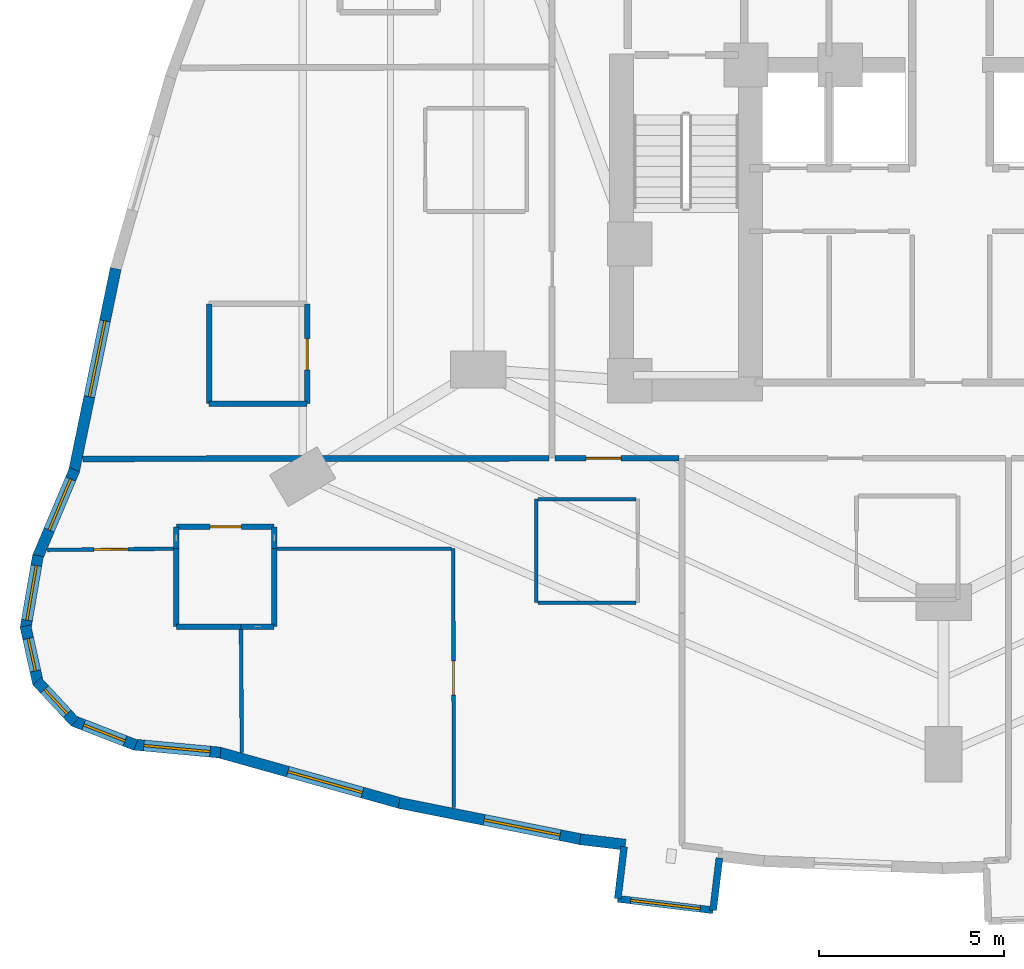
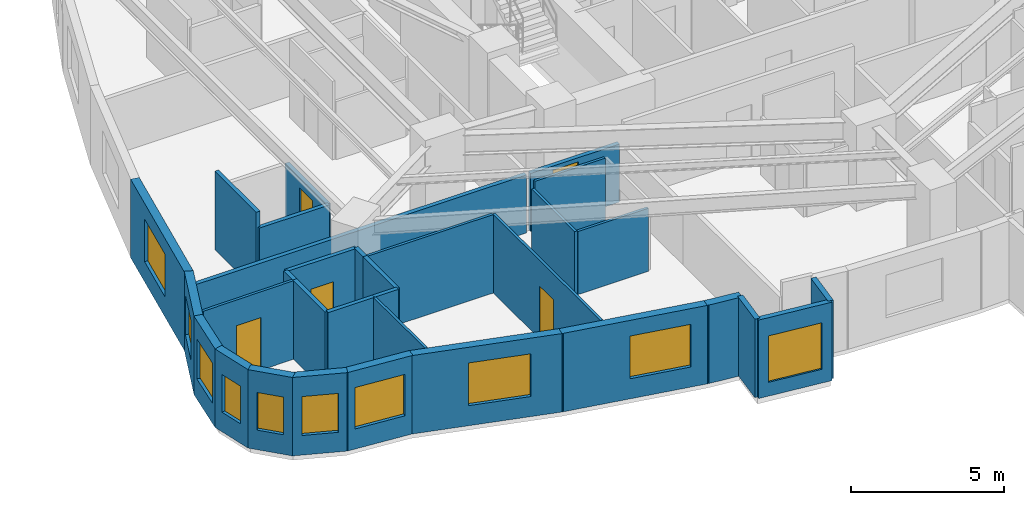
# One storey, part 7 of 15: 32 walls, 10 windows, 5 doors, 15 openings.
"""IFC4 building model written with IfcOpenShell, lengths in metres."""

from ifc_helpers import new_model, si_unit, direction, frame, frame_2d, origin, place, context, subcontext, project, spatial, rectangle, extrude, material, layer, layer_set, type_object, element, fill, save


model = new_model("IFC4")

# Units and contexts
model_context = context("Model", 3, precision=1e-05, world=origin(), true_north=direction((0.0, 1.0)))
body_context = subcontext(model_context, "Body", "Model", "MODEL_VIEW")
ifc_project = project(units=[si_unit("LENGTHUNIT", "METRE"), si_unit("AREAUNIT", "SQUARE_METRE"), si_unit("VOLUMEUNIT", "CUBIC_METRE"), si_unit("PLANEANGLEUNIT", "RADIAN"), si_unit("MASSUNIT", "GRAM", prefix="KILO")], contexts=[model_context])

# Site, building, storey
site_placement = place(None, origin())
site = spatial("IfcSite", under=ifc_project, at=site_placement, CompositionType="ELEMENT")
building_placement = place(site_placement, origin())
building = spatial("IfcBuilding", under=site, at=building_placement, Name="Miruveldt Soraemaru", CompositionType="ELEMENT")
storey_placement = place(building_placement, frame((0.0, 0.0, 39.39990234375)))
storey = spatial("IfcBuildingStorey", under=building, at=storey_placement, Name="L10", CompositionType="ELEMENT", Elevation=39.39990234375)

# Walls
ifc_material_1 = material(Name="White powder-coated aluminium EN AW-6060 T6", Category="aluminium")
ifc_layer_1 = layer(ifc_material_1, 0.18994140625, Name="White powder-coated aluminium EN AW-6060 T6", Category="aluminium")
ifc_layer_set_1 = layer_set([ifc_layer_1], Name="White powder-coated aluminium EN AW-6060 T6")
wall_type_1 = type_object("IfcWallType", Name="WALL-BAY-ALU190", PredefinedType="SOLIDWALL", material=ifc_layer_set_1)
wall_1_placement = place(storey_placement, frame((35.34716796875, 22.883544921875, 0.0), z_axis=(0.0, 0.0, 1.0), x_axis=(-0.119077659317, -0.992884943511, 0.0)))
element("IfcWall", 1, at=wall_1_placement, inside=storey, type_object=wall_type_1, Name="L10 Bay Window Side Cheek 1L", PredefinedType="SOLIDWALL", context=body_context, shape_type="SweptSolid", body=[
    extrude(rectangle(XDim=1.425048828125, YDim=0.18994140625, at=frame_2d((0.71240234375, 0.0))), origin(), (0.0, 0.0, 1.0), 3.125),
])
wall_2_placement = place(storey_placement, frame((37.7587890625, 21.15869140625, 0.0), z_axis=(0.0, 0.0, 1.0), x_axis=(0.119226278009, 0.992867108244, 0.0)))
element("IfcWall", 2, at=wall_2_placement, inside=storey, type_object=wall_type_1, Name="L10 Bay Window Side Cheek 1R", PredefinedType="SOLIDWALL", context=body_context, shape_type="SweptSolid", body=[
    extrude(rectangle(XDim=1.42529296875, YDim=0.18994140625, at=frame_2d((0.712646484375, 0.0))), origin(), (0.0, 0.0, 1.0), 3.125),
])

# Wall, opening, window
wall_3_placement = place(storey_placement, frame((35.177490234375, 21.46875, 0.0), z_axis=(0.0, 0.0, 1.0), x_axis=(0.992863057067, -0.119260009692, 0.0)))
wall_3 = element("IfcWall", 3, at=wall_3_placement, inside=storey, type_object=wall_type_1, Name="L10 Bay Window Front Frame 1", PredefinedType="SOLIDWALL", context=body_context, shape_type="SweptSolid", body=[
    extrude(rectangle(XDim=2.599853515625, YDim=0.18994140625, at=frame_2d((1.2998046875, 0.0))), origin(), (0.0, 0.0, 1.0), 3.125),
])
opening_1_placement = place(wall_3_placement, frame((0.35009765625, 0.0, 0.550048828125)))
opening_1 = element("IfcOpeningElement", 4, at=opening_1_placement, cuts=wall_3, Name="Opening WN-6", PredefinedType="OPENING", context=body_context, shape_type="SweptSolid", body=[
    extrude(rectangle(XDim=1.89990234375, YDim=1.85009765625, at=frame_2d((0.949951171875, 0.925048828125))), frame((0.0, 0.10498046875, 0.0), z_axis=(0.0, -1.0, 0.0), x_axis=(1.0, 0.0, 0.0)), (0.0, 0.0, 1.0), 0.2099609375),
])
ifc_material_2 = material(Name="Triple low-e insulated glazing", Category="glass")
window_type_1 = type_object("IfcWindowType", Name="WIN-BAYW-1900x1850", PartitioningType="SINGLE_PANEL", PredefinedType="WINDOW", material=ifc_material_2)
window_1_placement = place(opening_1_placement, origin())
window_1 = element("IfcWindow", 5, at=window_1_placement, inside=storey, type_object=window_type_1, Name="L10 Projecting Bay Window 1", OverallHeight=1.85009765625, OverallWidth=1.89990234375, PartitioningType="SINGLE_PANEL", PredefinedType="WINDOW", context=body_context, shape_type="SweptSolid", body=[
    extrude(rectangle(XDim=1.89990234375, YDim=1.85009765625, at=frame_2d((0.949951171875, 0.925048828125))), frame((0.0, 0.030029296875, 0.0), z_axis=(0.0, -1.0, 0.0), x_axis=(1.0, 0.0, 0.0)), (0.0, 0.0, 1.0), 0.06005859375),
])
fill(opening_1, window_1)

ifc_material_3 = material(Name="Precast concrete C45/55 (45 MPa)", Category="concrete")
ifc_layer_2 = layer(ifc_material_3, 0.300048828125, Name="Precast concrete C45/55 (45 MPa)", Category="concrete")
ifc_layer_set_2 = layer_set([ifc_layer_2], Name="Precast concrete C45/55 (45 MPa)")
wall_type_2 = type_object("IfcWallType", Name="WALL-EXT-PC300", PredefinedType="SOLIDWALL", material=ifc_layer_set_2)
wall_4_placement = place(storey_placement, frame((21.580322265625, 38.536376953125, 0.0), z_axis=(0.0, 0.0, 1.0), x_axis=(-0.201536618175, -0.979480980691, 0.0)))
wall_4 = element("IfcWall", 6, at=wall_4_placement, inside=storey, type_object=wall_type_2, Name="L10 Precast Concrete Facade Wall 14", PredefinedType="SOLIDWALL", context=body_context, shape_type="SweptSolid", body=[
    extrude(rectangle(XDim=5.626953125, YDim=0.300048828125, at=frame_2d((2.8134765625, 0.0))), origin(), (0.0, 0.0, 1.0), 3.125),
])
opening_2_placement = place(wall_4_placement, frame((1.444091796875, 0.0, 0.800048828125)))
opening_2 = element("IfcOpeningElement", 7, at=opening_2_placement, cuts=wall_4, Name="Opening WN-1", PredefinedType="OPENING", context=body_context, shape_type="SweptSolid", body=[
    extrude(rectangle(XDim=2.10009765625, YDim=1.699951171875, at=frame_2d((1.050048828125, 0.85009765625))), frame((0.0, 0.16015625, 0.0), z_axis=(0.0, -1.0, 0.0), x_axis=(1.0, 0.0, 0.0)), (0.0, 0.0, 1.0), 0.320068359375),
])
window_type_2 = type_object("IfcWindowType", Name="WIN-PUNCH-2100x1700", PartitioningType="SINGLE_PANEL", PredefinedType="WINDOW", material=ifc_material_2)
window_2_placement = place(opening_2_placement, origin())
window_2 = element("IfcWindow", 8, at=window_2_placement, inside=storey, type_object=window_type_2, Name="L10 Punched Triple-Glazed Window 14.1", OverallHeight=1.699951171875, OverallWidth=2.10009765625, PartitioningType="SINGLE_PANEL", PredefinedType="WINDOW", context=body_context, shape_type="SweptSolid", body=[
    extrude(rectangle(XDim=2.10009765625, YDim=1.699951171875, at=frame_2d((1.050048828125, 0.85009765625))), frame((0.0, 0.030029296875, 0.0), z_axis=(0.0, -1.0, 0.0), x_axis=(1.0, 0.0, 0.0)), (0.0, 0.0, 1.0), 0.06005859375),
])
fill(opening_2, window_2)

wall_5_placement = place(storey_placement, frame((20.466796875, 33.091552734375, 0.0), z_axis=(0.0, 0.0, 1.0), x_axis=(-0.388619532782, -0.921398317092, 0.0)))
wall_5 = element("IfcWall", 9, at=wall_5_placement, inside=storey, type_object=wall_type_2, Name="L10 Precast Concrete Facade Wall 15", PredefinedType="SOLIDWALL", context=body_context, shape_type="SweptSolid", body=[
    extrude(rectangle(XDim=2.599609375, YDim=0.300048828125, at=frame_2d((1.2998046875, 0.0))), origin(), (0.0, 0.0, 1.0), 3.125),
])
opening_3_placement = place(wall_5_placement, frame((0.27490234375, 0.0, 0.800048828125)))
opening_3 = element("IfcOpeningElement", 10, at=opening_3_placement, cuts=wall_5, Name="Opening WN-3", PredefinedType="OPENING", context=body_context, shape_type="SweptSolid", body=[
    extrude(rectangle(XDim=1.5, YDim=1.60009765625, at=frame_2d((0.75, 0.800048828125))), frame((0.0, 0.16015625, 0.0), z_axis=(0.0, -1.0, 0.0), x_axis=(1.0, 0.0, 0.0)), (0.0, 0.0, 1.0), 0.320068359375),
])
window_type_3 = type_object("IfcWindowType", Name="WIN-PUNCH-1500x1600", PartitioningType="SINGLE_PANEL", PredefinedType="WINDOW", material=ifc_material_2)
window_3_placement = place(opening_3_placement, origin())
window_3 = element("IfcWindow", 11, at=window_3_placement, inside=storey, type_object=window_type_3, Name="L10 Punched Triple-Glazed Window 15.1", OverallHeight=1.60009765625, OverallWidth=1.5, PartitioningType="SINGLE_PANEL", PredefinedType="WINDOW", context=body_context, shape_type="SweptSolid", body=[
    extrude(rectangle(XDim=1.5, YDim=1.60009765625, at=frame_2d((0.75, 0.800048828125))), frame((0.0, 0.030029296875, 0.0), z_axis=(0.0, -1.0, 0.0), x_axis=(1.0, 0.0, 0.0)), (0.0, 0.0, 1.0), 0.06005859375),
])
fill(opening_3, window_3)

wall_6_placement = place(storey_placement, frame((19.47607421875, 30.762939453125, 0.0), z_axis=(0.0, 0.0, 1.0), x_axis=(-0.169274776515, -0.985568896646, 0.0)))
wall_6 = element("IfcWall", 12, at=wall_6_placement, inside=storey, type_object=wall_type_2, Name="L10 Precast Concrete Facade Wall 16", PredefinedType="SOLIDWALL", context=body_context, shape_type="SweptSolid", body=[
    extrude(rectangle(XDim=2.0048828125, YDim=0.300048828125, at=frame_2d((1.00244140625, 0.0))), origin(), (0.0, 0.0, 1.0), 3.125),
])
opening_4_placement = place(wall_6_placement, frame((0.27490234375, 0.0, 0.800048828125)))
opening_4 = element("IfcOpeningElement", 13, at=opening_4_placement, cuts=wall_6, Name="Opening WN-3", PredefinedType="OPENING", context=body_context, shape_type="SweptSolid", body=[
    extrude(rectangle(XDim=1.5, YDim=1.60009765625, at=frame_2d((0.75, 0.800048828125))), frame((0.0, 0.16015625, 0.0), z_axis=(0.0, -1.0, 0.0), x_axis=(1.0, 0.0, 0.0)), (0.0, 0.0, 1.0), 0.320068359375),
])
window_4_placement = place(opening_4_placement, origin())
window_4 = element("IfcWindow", 14, at=window_4_placement, inside=storey, type_object=window_type_3, Name="L10 Punched Triple-Glazed Window 16.1", OverallHeight=1.60009765625, OverallWidth=1.5, PartitioningType="SINGLE_PANEL", PredefinedType="WINDOW", context=body_context, shape_type="SweptSolid", body=[
    extrude(rectangle(XDim=1.5, YDim=1.60009765625, at=frame_2d((0.75, 0.800048828125))), frame((0.0, 0.030029296875, 0.0), z_axis=(0.0, -1.0, 0.0), x_axis=(1.0, 0.0, 0.0)), (0.0, 0.0, 1.0), 0.06005859375),
])
fill(opening_4, window_4)

wall_7_placement = place(storey_placement, frame((19.135009765625, 28.855712890625, 0.0), z_axis=(0.0, 0.0, 1.0), x_axis=(0.215694028495, -0.976461000794, 0.0)))
wall_7 = element("IfcWall", 15, at=wall_7_placement, inside=storey, type_object=wall_type_2, Name="L10 Precast Concrete Facade Wall 17", PredefinedType="SOLIDWALL", context=body_context, shape_type="SweptSolid", body=[
    extrude(rectangle(XDim=1.589111328125, YDim=0.300048828125, at=frame_2d((0.79443359375, 0.0))), origin(), (0.0, 0.0, 1.0), 3.125),
])
opening_5_placement = place(wall_7_placement, frame((0.343994140625, 0.0, 0.780029296875)))
opening_5 = element("IfcOpeningElement", 16, at=opening_5_placement, cuts=wall_7, Name="Opening WN-7", PredefinedType="OPENING", context=body_context, shape_type="SweptSolid", body=[
    extrude(rectangle(XDim=0.89990234375, YDim=1.5, at=frame_2d((0.449951171875, 0.75))), frame((0.0, 0.16015625, 0.0), z_axis=(0.0, -1.0, 0.0), x_axis=(1.0, 0.0, 0.0)), (0.0, 0.0, 1.0), 0.320068359375),
])
window_type_4 = type_object("IfcWindowType", Name="WIN-PUNCH-900x1500", PartitioningType="SINGLE_PANEL", PredefinedType="WINDOW", material=ifc_material_2)
window_5_placement = place(opening_5_placement, origin())
window_5 = element("IfcWindow", 17, at=window_5_placement, inside=storey, type_object=window_type_4, Name="L10 Punched Triple-Glazed Window 17.1", OverallHeight=1.5, OverallWidth=0.89990234375, PartitioningType="SINGLE_PANEL", PredefinedType="WINDOW", context=body_context, shape_type="SweptSolid", body=[
    extrude(rectangle(XDim=0.89990234375, YDim=1.5, at=frame_2d((0.449951171875, 0.75))), frame((0.0, 0.030029296875, 0.0), z_axis=(0.0, -1.0, 0.0), x_axis=(1.0, 0.0, 0.0)), (0.0, 0.0, 1.0), 0.06005859375),
])
fill(opening_5, window_5)

wall_8_placement = place(storey_placement, frame((19.4462890625, 27.364013671875, 0.0), z_axis=(0.0, 0.0, 1.0), x_axis=(0.680191520786, -0.733034443291, 0.0)))
wall_8 = element("IfcWall", 18, at=wall_8_placement, inside=storey, type_object=wall_type_2, Name="L10 Precast Concrete Facade Wall 18", PredefinedType="SOLIDWALL", context=body_context, shape_type="SweptSolid", body=[
    extrude(rectangle(XDim=1.515380859375, YDim=0.300048828125, at=frame_2d((0.7578125, 0.0))), origin(), (0.0, 0.0, 1.0), 3.125),
])
opening_6_placement = place(wall_8_placement, frame((0.306884765625, 0.0, 0.780029296875)))
opening_6 = element("IfcOpeningElement", 19, at=opening_6_placement, cuts=wall_8, Name="Opening WN-7", PredefinedType="OPENING", context=body_context, shape_type="SweptSolid", body=[
    extrude(rectangle(XDim=0.89990234375, YDim=1.5, at=frame_2d((0.449951171875, 0.75))), frame((0.0, 0.16015625, 0.0), z_axis=(0.0, -1.0, 0.0), x_axis=(1.0, 0.0, 0.0)), (0.0, 0.0, 1.0), 0.320068359375),
])
window_6_placement = place(opening_6_placement, origin())
window_6 = element("IfcWindow", 20, at=window_6_placement, inside=storey, type_object=window_type_4, Name="L10 Punched Triple-Glazed Window 18.1", OverallHeight=1.5, OverallWidth=0.89990234375, PartitioningType="SINGLE_PANEL", PredefinedType="WINDOW", context=body_context, shape_type="SweptSolid", body=[
    extrude(rectangle(XDim=0.89990234375, YDim=1.5, at=frame_2d((0.449951171875, 0.75))), frame((0.0, 0.030029296875, 0.0), z_axis=(0.0, -1.0, 0.0), x_axis=(1.0, 0.0, 0.0)), (0.0, 0.0, 1.0), 0.06005859375),
])
fill(opening_6, window_6)

wall_9_placement = place(storey_placement, frame((20.420654296875, 26.29150390625, 0.0), z_axis=(0.0, 0.0, 1.0), x_axis=(0.932260177706, -0.361788558502, 0.0)))
wall_9 = element("IfcWall", 21, at=wall_9_placement, inside=storey, type_object=wall_type_2, Name="L10 Precast Concrete Facade Wall 19", PredefinedType="SOLIDWALL", context=body_context, shape_type="SweptSolid", body=[
    extrude(rectangle(XDim=1.827392578125, YDim=0.300048828125, at=frame_2d((0.91357421875, 0.0))), origin(), (0.0, 0.0, 1.0), 3.125),
])
opening_7_placement = place(wall_9_placement, frame((0.31396484375, 0.0, 0.780029296875)))
opening_7 = element("IfcOpeningElement", 22, at=opening_7_placement, cuts=wall_9, Name="Opening WN-4", PredefinedType="OPENING", context=body_context, shape_type="SweptSolid", body=[
    extrude(rectangle(XDim=1.199951171875, YDim=1.550048828125, at=frame_2d((0.60009765625, 0.77490234375))), frame((0.0, 0.16015625, 0.0), z_axis=(0.0, -1.0, 0.0), x_axis=(1.0, 0.0, 0.0)), (0.0, 0.0, 1.0), 0.320068359375),
])
window_type_5 = type_object("IfcWindowType", Name="WIN-PUNCH-1200x1550", PartitioningType="SINGLE_PANEL", PredefinedType="WINDOW", material=ifc_material_2)
window_7_placement = place(opening_7_placement, origin())
window_7 = element("IfcWindow", 23, at=window_7_placement, inside=storey, type_object=window_type_5, Name="L10 Punched Triple-Glazed Window 19.1", OverallHeight=1.550048828125, OverallWidth=1.199951171875, PartitioningType="SINGLE_PANEL", PredefinedType="WINDOW", context=body_context, shape_type="SweptSolid", body=[
    extrude(rectangle(XDim=1.199951171875, YDim=1.550048828125, at=frame_2d((0.60009765625, 0.77490234375))), frame((0.0, 0.030029296875, 0.0), z_axis=(0.0, -1.0, 0.0), x_axis=(1.0, 0.0, 0.0)), (0.0, 0.0, 1.0), 0.06005859375),
])
fill(opening_7, window_7)

wall_10_placement = place(storey_placement, frame((22.056884765625, 25.646240234375, 0.0), z_axis=(0.0, 0.0, 1.0), x_axis=(0.99576320225, -0.091954581429, 0.0)))
wall_10 = element("IfcWall", 24, at=wall_10_placement, inside=storey, type_object=wall_type_2, Name="L10 Precast Concrete Facade Wall 20", PredefinedType="SOLIDWALL", context=body_context, shape_type="SweptSolid", body=[
    extrude(rectangle(XDim=2.37353515625, YDim=0.300048828125, at=frame_2d((1.186767578125, 0.0))), origin(), (0.0, 0.0, 1.0), 3.125),
])
opening_8_placement = place(wall_10_placement, frame((0.287109375, 0.0, 0.800048828125)))
opening_8 = element("IfcOpeningElement", 25, at=opening_8_placement, cuts=wall_10, Name="Opening WN-2", PredefinedType="OPENING", context=body_context, shape_type="SweptSolid", body=[
    extrude(rectangle(XDim=1.800048828125, YDim=1.64990234375, at=frame_2d((0.89990234375, 0.824951171875))), frame((0.0, 0.16015625, 0.0), z_axis=(0.0, -1.0, 0.0), x_axis=(1.0, 0.0, 0.0)), (0.0, 0.0, 1.0), 0.320068359375),
])
window_type_6 = type_object("IfcWindowType", Name="WIN-PUNCH-1800x1650", PartitioningType="SINGLE_PANEL", PredefinedType="WINDOW", material=ifc_material_2)
window_8_placement = place(opening_8_placement, origin())
window_8 = element("IfcWindow", 26, at=window_8_placement, inside=storey, type_object=window_type_6, Name="L10 Punched Triple-Glazed Window 20.1", OverallHeight=1.64990234375, OverallWidth=1.800048828125, PartitioningType="SINGLE_PANEL", PredefinedType="WINDOW", context=body_context, shape_type="SweptSolid", body=[
    extrude(rectangle(XDim=1.800048828125, YDim=1.64990234375, at=frame_2d((0.89990234375, 0.824951171875))), frame((0.0, 0.030029296875, 0.0), z_axis=(0.0, -1.0, 0.0), x_axis=(1.0, 0.0, 0.0)), (0.0, 0.0, 1.0), 0.06005859375),
])
fill(opening_8, window_8)

wall_11_placement = place(storey_placement, frame((24.351806640625, 25.440673828125, 0.0), z_axis=(0.0, 0.0, 1.0), x_axis=(0.962965002088, -0.269626417018, 0.0)))
wall_11 = element("IfcWall", 27, at=wall_11_placement, inside=storey, type_object=wall_type_2, Name="L10 Precast Concrete Facade Wall 21", PredefinedType="SOLIDWALL", context=body_context, shape_type="SweptSolid", body=[
    extrude(rectangle(XDim=5.162109375, YDim=0.300048828125, at=frame_2d((2.5810546875, 0.0))), origin(), (0.0, 0.0, 1.0), 3.125),
])
opening_9_placement = place(wall_11_placement, frame((1.962890625, 0.0, 0.800048828125)))
opening_9 = element("IfcOpeningElement", 28, at=opening_9_placement, cuts=wall_11, Name="Opening WN-1", PredefinedType="OPENING", context=body_context, shape_type="SweptSolid", body=[
    extrude(rectangle(XDim=2.10009765625, YDim=1.699951171875, at=frame_2d((1.050048828125, 0.85009765625))), frame((0.0, 0.16015625, 0.0), z_axis=(0.0, -1.0, 0.0), x_axis=(1.0, 0.0, 0.0)), (0.0, 0.0, 1.0), 0.320068359375),
])
window_9_placement = place(opening_9_placement, origin())
window_9 = element("IfcWindow", 29, at=window_9_placement, inside=storey, type_object=window_type_2, Name="L10 Punched Triple-Glazed Window 21.1", OverallHeight=1.699951171875, OverallWidth=2.10009765625, PartitioningType="SINGLE_PANEL", PredefinedType="WINDOW", context=body_context, shape_type="SweptSolid", body=[
    extrude(rectangle(XDim=2.10009765625, YDim=1.699951171875, at=frame_2d((1.050048828125, 0.85009765625))), frame((0.0, 0.030029296875, 0.0), z_axis=(0.0, -1.0, 0.0), x_axis=(1.0, 0.0, 0.0)), (0.0, 0.0, 1.0), 0.06005859375),
])
fill(opening_9, window_9)

wall_12_placement = place(storey_placement, frame((29.2548828125, 24.065185546875, 0.0), z_axis=(0.0, 0.0, 1.0), x_axis=(0.980573267674, -0.196153171585, 0.0)))
wall_12 = element("IfcWall", 30, at=wall_12_placement, inside=storey, type_object=wall_type_2, Name="L10 Precast Concrete Facade Wall 22", PredefinedType="SOLIDWALL", context=body_context, shape_type="SweptSolid", body=[
    extrude(rectangle(XDim=5.070556640625, YDim=0.300048828125, at=frame_2d((2.53515625, 0.0))), origin(), (0.0, 0.0, 1.0), 3.125),
])
opening_10_placement = place(wall_12_placement, frame((2.345947265625, 0.0, 0.800048828125)))
opening_10 = element("IfcOpeningElement", 31, at=opening_10_placement, cuts=wall_12, Name="Opening WN-1", PredefinedType="OPENING", context=body_context, shape_type="SweptSolid", body=[
    extrude(rectangle(XDim=2.10009765625, YDim=1.699951171875, at=frame_2d((1.050048828125, 0.85009765625))), frame((0.0, 0.16015625, 0.0), z_axis=(0.0, -1.0, 0.0), x_axis=(1.0, 0.0, 0.0)), (0.0, 0.0, 1.0), 0.320068359375),
])
window_10_placement = place(opening_10_placement, origin())
window_10 = element("IfcWindow", 32, at=window_10_placement, inside=storey, type_object=window_type_2, Name="L10 Punched Triple-Glazed Window 22.1", OverallHeight=1.699951171875, OverallWidth=2.10009765625, PartitioningType="SINGLE_PANEL", PredefinedType="WINDOW", context=body_context, shape_type="SweptSolid", body=[
    extrude(rectangle(XDim=2.10009765625, YDim=1.699951171875, at=frame_2d((1.050048828125, 0.85009765625))), frame((0.0, 0.030029296875, 0.0), z_axis=(0.0, -1.0, 0.0), x_axis=(1.0, 0.0, 0.0)), (0.0, 0.0, 1.0), 0.06005859375),
])
fill(opening_10, window_10)

# Wall
wall_13_placement = place(storey_placement, frame((34.157958984375, 23.081787109375, 0.0), z_axis=(0.0, 0.0, 1.0), x_axis=(0.992862793481, -0.119262204077, 0.0)))
element("IfcWall", 33, at=wall_13_placement, inside=storey, type_object=wall_type_2, Name="L10 Precast Pier Wall 23A", PredefinedType="SOLIDWALL", context=body_context, shape_type="SweptSolid", body=[
    extrude(rectangle(XDim=1.234375, YDim=0.300048828125, at=frame_2d((0.6171875, 0.0))), origin(), (0.0, 0.0, 1.0), 3.125),
])

# Wall, opening, door
ifc_material_4 = material(Name="Gypsum plasterboard lining", Category="gypsum")
ifc_layer_3 = layer(ifc_material_4, 0.10009765625, Name="Gypsum plasterboard lining", Category="gypsum")
ifc_layer_set_3 = layer_set([ifc_layer_3], Name="Gypsum plasterboard lining")
wall_type_3 = type_object("IfcWallType", Name="WALL-INT-P100", PredefinedType="PARTITIONING", material=ifc_layer_set_3)
wall_14_placement = place(storey_placement, frame((30.720947265625, 30.949951171875, 0.0), z_axis=(0.0, 0.0, 1.0), x_axis=(0.002436894418, -0.999997030768, 0.0)))
wall_14 = element("IfcWall", 34, at=wall_14_placement, inside=storey, type_object=wall_type_3, Name="L10 Partition Wall 99", PredefinedType="PARTITIONING", context=body_context, shape_type="SweptSolid", body=[
    extrude(rectangle(XDim=7.012939453125, YDim=0.10009765625, at=frame_2d((3.50634765625, 0.0))), origin(), (0.0, 0.0, 1.0), 3.125),
])
opening_11_placement = place(wall_14_placement, frame((3.047119140625, 0.0, 0.0)))
opening_11 = element("IfcOpeningElement", 35, at=opening_11_placement, cuts=wall_14, Name="Opening D3A", PredefinedType="OPENING", context=body_context, shape_type="SweptSolid", body=[
    extrude(rectangle(XDim=0.919921875, YDim=2.10009765625, at=frame_2d((0.4599609375, 1.050048828125))), frame((0.0, 0.06005859375, 0.0), z_axis=(0.0, -1.0, 0.0), x_axis=(1.0, 0.0, 0.0)), (0.0, 0.0, 1.0), 0.1201171875),
])
ifc_material_5 = material(Name="Anodised aluminium EN AW-6063 T6", Category="aluminium")
door_type_1 = type_object("IfcDoorType", Name="DOOR-INT-920", OperationType="NOTDEFINED", PredefinedType="DOOR", material=ifc_material_5)
door_1_placement = place(opening_11_placement, origin())
door_1 = element("IfcDoor", 36, at=door_1_placement, inside=storey, type_object=door_type_1, Name="L10 Unit 1008 BD2 Door", OperationType="SINGLE_SWING_LEFT", OverallHeight=2.10009765625, OverallWidth=0.919921875, PredefinedType="DOOR", context=body_context, shape_type="SweptSolid", body=[
    extrude(rectangle(XDim=0.919921875, YDim=2.10009765625, at=frame_2d((0.4599609375, 1.050048828125))), frame((0.0, 0.02490234375, 0.0), z_axis=(0.0, -1.0, 0.0), x_axis=(1.0, 0.0, 0.0)), (0.0, 0.0, 1.0), 0.050048828125),
])
fill(opening_11, door_1)

wall_15_placement = place(storey_placement, frame((19.72900390625, 30.9169921875, 0.0), z_axis=(0.0, 0.0, 1.0), x_axis=(0.999954187427, 0.00957199286, 0.0)))
wall_15 = element("IfcWall", 37, at=wall_15_placement, inside=storey, type_object=wall_type_3, Name="L10 Partition Wall 97", PredefinedType="PARTITIONING", context=body_context, shape_type="SweptSolid", body=[
    extrude(rectangle(XDim=3.443359375, YDim=0.10009765625, at=frame_2d((1.7216796875, 0.0))), origin(), (0.0, 0.0, 1.0), 3.125),
])
opening_12_placement = place(wall_15_placement, frame((1.261962890625, 0.0, 0.0)))
opening_12 = element("IfcOpeningElement", 38, at=opening_12_placement, cuts=wall_15, Name="Opening D3A", PredefinedType="OPENING", context=body_context, shape_type="SweptSolid", body=[
    extrude(rectangle(XDim=0.919921875, YDim=2.10009765625, at=frame_2d((0.4599609375, 1.050048828125))), frame((0.0, 0.06005859375, 0.0), z_axis=(0.0, -1.0, 0.0), x_axis=(1.0, 0.0, 0.0)), (0.0, 0.0, 1.0), 0.1201171875),
])
door_2_placement = place(opening_12_placement, origin())
door_2 = element("IfcDoor", 39, at=door_2_placement, inside=storey, type_object=door_type_1, Name="L10 Unit 1008 BD1 Door", OperationType="SINGLE_SWING_RIGHT", OverallHeight=2.10009765625, OverallWidth=0.919921875, PredefinedType="DOOR", context=body_context, shape_type="SweptSolid", body=[
    extrude(rectangle(XDim=0.919921875, YDim=2.10009765625, at=frame_2d((0.4599609375, 1.050048828125))), frame((0.0, 0.02490234375, 0.0), z_axis=(0.0, -1.0, 0.0), x_axis=(1.0, 0.0, 0.0)), (0.0, 0.0, 1.0), 0.050048828125),
])
fill(opening_12, door_2)

# Walls
wall_16_placement = place(storey_placement, frame((25.922119140625, 30.949951171875, 0.0), z_axis=(0.0, 0.0, 1.0), x_axis=(1.0, 0.0, 0.0)))
element("IfcWall", 40, at=wall_16_placement, inside=storey, type_object=wall_type_3, Name="L10 Partition Wall 98", PredefinedType="PARTITIONING", context=body_context, shape_type="SweptSolid", body=[
    extrude(rectangle(XDim=4.748779296875, YDim=0.10009765625, at=frame_2d((2.37451171875, 0.0))), origin(), (0.0, 0.0, 1.0), 3.125),
])
wall_17_placement = place(storey_placement, frame((24.99609375, 25.431884765625, 0.0), z_axis=(0.0, 0.0, 1.0), x_axis=(-0.006805000025, 0.999976845719, 0.0)))
element("IfcWall", 41, at=wall_17_placement, inside=storey, type_object=wall_type_3, Name="L10 Partition Wall 106", PredefinedType="PARTITIONING", context=body_context, shape_type="SweptSolid", body=[
    extrude(rectangle(XDim=3.408203125, YDim=0.10009765625, at=frame_2d((1.7041015625, 0.0))), origin(), (0.0, 0.0, 1.0), 3.125),
])
wall_18_placement = place(storey_placement, frame((32.971923828125, 32.2900390625, 0.0), z_axis=(0.0, 0.0, 1.0), x_axis=(0.0, -1.0, 0.0)))
element("IfcWall", 42, at=wall_18_placement, inside=storey, type_object=wall_type_3, Name="L10 Partition Wall 95", PredefinedType="PARTITIONING", context=body_context, shape_type="SweptSolid", body=[
    extrude(rectangle(XDim=2.800048828125, YDim=0.10009765625, at=frame_2d((1.39990234375, 0.0))), origin(), (0.0, 0.0, 1.0), 2.51318359375),
])
wall_19_placement = place(storey_placement, frame((35.672119140625, 32.2900390625, 0.0), z_axis=(0.0, 0.0, 1.0), x_axis=(-1.0, 0.0, 0.0)))
element("IfcWall", 43, at=wall_19_placement, inside=storey, type_object=wall_type_3, Name="L10 Partition Wall 94", PredefinedType="PARTITIONING", context=body_context, shape_type="SweptSolid", body=[
    extrude(rectangle(XDim=2.650146484375, YDim=0.10009765625, at=frame_2d((1.3251953125, 0.0))), origin(), (0.0, 0.0, 1.0), 2.81298828125),
])
wall_20_placement = place(storey_placement, frame((33.02197265625, 29.489990234375, 0.0), z_axis=(0.0, 0.0, 1.0), x_axis=(1.0, 0.0, 0.0)))
element("IfcWall", 44, at=wall_20_placement, inside=storey, type_object=wall_type_3, Name="L10 Partition Wall 96", PredefinedType="PARTITIONING", context=body_context, shape_type="SweptSolid", body=[
    extrude(rectangle(XDim=2.650146484375, YDim=0.10009765625, at=frame_2d((1.3251953125, 0.0))), origin(), (0.0, 0.0, 1.0), 2.51318359375),
])

# Wall, opening, door
ifc_layer_4 = layer(ifc_material_4, 0.14990234375, Name="Gypsum plasterboard lining", Category="gypsum")
ifc_layer_set_4 = layer_set([ifc_layer_4], Name="Gypsum plasterboard lining")
wall_type_4 = type_object("IfcWallType", Name="WALL-INT-PLUMB", PredefinedType="PLUMBINGWALL", material=ifc_layer_set_4)
wall_21_placement = place(storey_placement, frame((26.762939453125, 34.8798828125, 0.0), z_axis=(0.0, 0.0, 1.0), x_axis=(0.0, 1.0, 0.0)))
wall_21 = element("IfcWall", 45, at=wall_21_placement, inside=storey, type_object=wall_type_4, Name="L10 Partition Wall 52", PredefinedType="PLUMBINGWALL", context=body_context, shape_type="SweptSolid", body=[
    extrude(rectangle(XDim=2.7001953125, YDim=0.14990234375, at=frame_2d((1.35009765625, 0.0))), origin(), (0.0, 0.0, 1.0), 2.51318359375),
])
opening_13_placement = place(wall_21_placement, frame((0.909912109375, 0.0, 0.0)))
opening_13 = element("IfcOpeningElement", 46, at=opening_13_placement, cuts=wall_21, Name="Opening FD3", PredefinedType="OPENING", context=body_context, shape_type="SweptSolid", body=[
    extrude(rectangle(XDim=0.85009765625, YDim=2.10009765625, at=frame_2d((0.425048828125, 1.050048828125))), frame((0.0, 0.0849609375, 0.0), z_axis=(0.0, -1.0, 0.0), x_axis=(1.0, 0.0, 0.0)), (0.0, 0.0, 1.0), 0.169921875),
])
door_type_2 = type_object("IfcDoorType", Name="DOOR-FD3-850", OperationType="NOTDEFINED", PredefinedType="DOOR", material=ifc_material_5)
door_3_placement = place(opening_13_placement, origin())
door_3 = element("IfcDoor", 47, at=door_3_placement, inside=storey, type_object=door_type_2, Name="L10 Unit CL04 BTH Door", OperationType="SINGLE_SWING_RIGHT", OverallHeight=2.10009765625, OverallWidth=0.85009765625, PredefinedType="DOOR", context=body_context, shape_type="SweptSolid", body=[
    extrude(rectangle(XDim=0.85009765625, YDim=2.10009765625, at=frame_2d((0.425048828125, 1.050048828125))), frame((0.0, 0.02490234375, 0.0), z_axis=(0.0, -1.0, 0.0), x_axis=(1.0, 0.0, 0.0)), (0.0, 0.0, 1.0), 0.050048828125),
])
fill(opening_13, door_3)

wall_22_placement = place(storey_placement, frame((25.8720703125, 31.5400390625, 0.0), z_axis=(0.0, 0.0, 1.0), x_axis=(-1.0, 0.0, 0.0)))
wall_22 = element("IfcWall", 48, at=wall_22_placement, inside=storey, type_object=wall_type_4, Name="L10 Partition Wall 91", PredefinedType="PLUMBINGWALL", context=body_context, shape_type="SweptSolid", body=[
    extrude(rectangle(XDim=2.650146484375, YDim=0.14990234375, at=frame_2d((1.3251953125, 0.0))), origin(), (0.0, 0.0, 1.0), 3.125),
])
opening_14_placement = place(wall_22_placement, frame((0.885009765625, 0.0, 0.0)))
opening_14 = element("IfcOpeningElement", 49, at=opening_14_placement, cuts=wall_22, Name="Opening FD3", PredefinedType="OPENING", context=body_context, shape_type="SweptSolid", body=[
    extrude(rectangle(XDim=0.85009765625, YDim=2.10009765625, at=frame_2d((0.425048828125, 1.050048828125))), frame((0.0, 0.0849609375, 0.0), z_axis=(0.0, -1.0, 0.0), x_axis=(1.0, 0.0, 0.0)), (0.0, 0.0, 1.0), 0.169921875),
])
door_4_placement = place(opening_14_placement, origin())
door_4 = element("IfcDoor", 50, at=door_4_placement, inside=storey, type_object=door_type_2, Name="L10 Unit 1008 BTH Door", OperationType="SINGLE_SWING_RIGHT", OverallHeight=2.10009765625, OverallWidth=0.85009765625, PredefinedType="DOOR", context=body_context, shape_type="SweptSolid", body=[
    extrude(rectangle(XDim=0.85009765625, YDim=2.10009765625, at=frame_2d((0.425048828125, 1.050048828125))), frame((0.0, 0.02490234375, 0.0), z_axis=(0.0, -1.0, 0.0), x_axis=(1.0, 0.0, 0.0)), (0.0, 0.0, 1.0), 0.050048828125),
])
fill(opening_14, door_4)

# Walls
wall_23_placement = place(storey_placement, frame((24.113037109375, 37.580078125, 0.0), z_axis=(0.0, 0.0, 1.0), x_axis=(0.0, -1.0, 0.0)))
element("IfcWall", 51, at=wall_23_placement, inside=storey, type_object=wall_type_4, Name="L10 Partition Wall 54", PredefinedType="PLUMBINGWALL", context=body_context, shape_type="SweptSolid", body=[
    extrude(rectangle(XDim=2.7001953125, YDim=0.14990234375, at=frame_2d((1.35009765625, 0.0))), origin(), (0.0, 0.0, 1.0), 3.125),
])
wall_24_placement = place(storey_placement, frame((24.113037109375, 34.8798828125, 0.0), z_axis=(0.0, 0.0, 1.0), x_axis=(1.0, 0.0, 0.0)))
element("IfcWall", 52, at=wall_24_placement, inside=storey, type_object=wall_type_4, Name="L10 Partition Wall 55", PredefinedType="PLUMBINGWALL", context=body_context, shape_type="SweptSolid", body=[
    extrude(rectangle(XDim=2.64990234375, YDim=0.14990234375, at=frame_2d((1.324951171875, 0.0))), origin(), (0.0, 0.0, 1.0), 2.51318359375),
])
for number, where, z_axis, x_axis, name in (
    (53, (23.221923828125, 30.949951171875, 0.0), (0.0, 0.0, 1.0), (0.0, -1.0, 0.0), "L10 Partition Wall 102"),
    (54, (25.8720703125, 28.840087890625, 0.0), (0.0, 0.0, 1.0), (0.0, 1.0, 0.0), "L10 Partition Wall 105"),
):
    element("IfcWall", number, at=place(storey_placement, frame(where, z_axis=z_axis, x_axis=x_axis)), inside=storey, type_object=wall_type_4, Name=name, PredefinedType="PLUMBINGWALL", context=body_context, shape_type="SweptSolid", body=[
        extrude(rectangle(XDim=2.10986328125, YDim=0.14990234375, at=frame_2d((1.054931640625, 0.0))), origin(), (0.0, 0.0, 1.0), 3.125),
    ])
wall_25_placement = place(storey_placement, frame((23.221923828125, 28.840087890625, 0.0), z_axis=(0.0, 0.0, 1.0), x_axis=(1.0, 0.0, 0.0)))
element("IfcWall", 55, at=wall_25_placement, inside=storey, type_object=wall_type_4, Name="L10 Partition Wall 103", PredefinedType="PLUMBINGWALL", context=body_context, shape_type="SweptSolid", body=[
    extrude(rectangle(XDim=1.7509765625, YDim=0.14990234375, at=frame_2d((0.87548828125, 0.0))), origin(), (0.0, 0.0, 1.0), 3.125),
])
wall_26_placement = place(storey_placement, frame((24.972900390625, 28.840087890625, 0.0), z_axis=(0.0, 0.0, 1.0), x_axis=(1.0, 0.0, 0.0)))
element("IfcWall", 56, at=wall_26_placement, inside=storey, type_object=wall_type_4, Name="L10 Partition Wall 104", PredefinedType="PLUMBINGWALL", context=body_context, shape_type="SweptSolid", body=[
    extrude(rectangle(XDim=0.899169921875, YDim=0.14990234375, at=frame_2d((0.44970703125, 0.0))), origin(), (0.0, 0.0, 1.0), 3.125),
])
for number, where, z_axis, x_axis, name in (
    (57, (25.8720703125, 30.949951171875, 0.0), (0.0, 0.0, 1.0), (0.0, 1.0, 0.0), "L10 Partition Wall 90"),
    (58, (23.221923828125, 31.5400390625, 0.0), (0.0, 0.0, 1.0), (0.0, -1.0, 0.0), "L10 Partition Wall 92"),
):
    element("IfcWall", number, at=place(storey_placement, frame(where, z_axis=z_axis, x_axis=x_axis)), inside=storey, type_object=wall_type_4, Name=name, PredefinedType="PLUMBINGWALL", context=body_context, shape_type="SweptSolid", body=[
        extrude(rectangle(XDim=0.590087890625, YDim=0.14990234375, at=frame_2d((0.294921875, 0.0))), origin(), (0.0, 0.0, 1.0), 3.125),
    ])

# Wall, opening, door
ifc_material_6 = material(Name="Concrete C40/50 (40 MPa)", Category="concrete")
ifc_layer_5 = layer(ifc_material_6, 0.159912109375, Name="Concrete C40/50 (40 MPa)", Category="concrete")
ifc_layer_set_5 = layer_set([ifc_layer_5], Name="Concrete C40/50 (40 MPa)")
wall_type_5 = type_object("IfcWallType", Name="WALL-INT-RC160", PredefinedType="SOLIDWALL", material=ifc_layer_set_5)
wall_27_placement = place(storey_placement, frame((33.47998046875, 33.39990234375, 0.0), z_axis=(0.0, 0.0, 1.0), x_axis=(1.0, 0.0, 0.0)))
wall_27 = element("IfcWall", 59, at=wall_27_placement, inside=storey, type_object=wall_type_5, Name="L10 Partition Wall 10", PredefinedType="SOLIDWALL", context=body_context, shape_type="SweptSolid", body=[
    extrude(rectangle(XDim=3.35205078125, YDim=0.159912109375, at=frame_2d((1.676025390625, 0.0))), origin(), (0.0, 0.0, 1.0), 2.31298828125),
])
opening_15_placement = place(wall_27_placement, frame((0.841064453125, 0.0, 0.0)))
opening_15 = element("IfcOpeningElement", 60, at=opening_15_placement, cuts=wall_27, Name="Opening FD2", PredefinedType="OPENING", context=body_context, shape_type="SweptSolid", body=[
    extrude(rectangle(XDim=0.949951171875, YDim=2.14990234375, at=frame_2d((0.47509765625, 1.074951171875))), frame((0.0, 0.08984375, 0.0), z_axis=(0.0, -1.0, 0.0), x_axis=(1.0, 0.0, 0.0)), (0.0, 0.0, 1.0), 0.179931640625),
])
door_type_3 = type_object("IfcDoorType", Name="DOOR-FD2-950", OperationType="NOTDEFINED", PredefinedType="DOOR", material=ifc_material_5)
door_5_placement = place(opening_15_placement, origin())
door_5 = element("IfcDoor", 61, at=door_5_placement, inside=storey, type_object=door_type_3, Name="L10 Unit 1008 Entrance Fire Door", OperationType="SINGLE_SWING_LEFT", OverallHeight=2.14990234375, OverallWidth=0.949951171875, PredefinedType="DOOR", context=body_context, shape_type="SweptSolid", body=[
    extrude(rectangle(XDim=0.949951171875, YDim=2.14990234375, at=frame_2d((0.47509765625, 1.074951171875))), frame((0.0, 0.02490234375, 0.0), z_axis=(0.0, -1.0, 0.0), x_axis=(1.0, 0.0, 0.0)), (0.0, 0.0, 1.0), 0.050048828125),
])
fill(opening_15, door_5)

# Wall
wall_28_placement = place(storey_placement, frame((20.68798828125, 33.383056640625, 0.0), z_axis=(0.0, 0.0, 1.0), x_axis=(0.999999110803, 0.001333564072, 0.0)))
element("IfcWall", 62, at=wall_28_placement, inside=storey, type_object=wall_type_5, Name="L10 Partition Wall 61", PredefinedType="SOLIDWALL", context=body_context, shape_type="SweptSolid", body=[
    extrude(rectangle(XDim=12.632080078125, YDim=0.159912109375, at=frame_2d((6.31591796875, 0.0))), origin(), (0.0, 0.0, 1.0), 2.31298828125),
])

save(model, "model.ifc")
